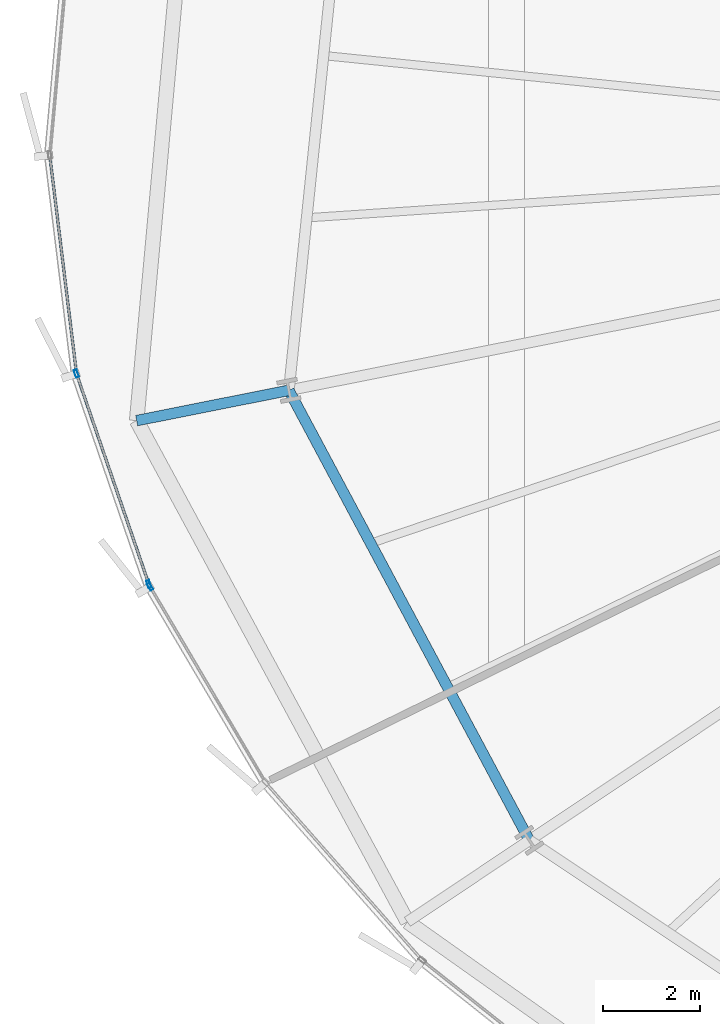
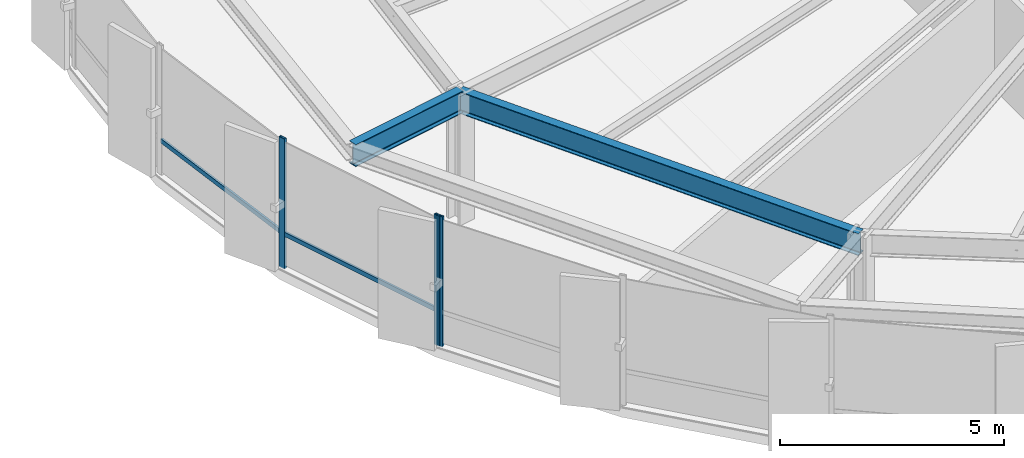
# One storey, part 6 of 39: 5 members, 2 beams, 2 elements without a shape of their own.
"""IFC4 building model written with IfcOpenShell, lengths in metres."""

from ifc_helpers import new_model, si_unit, direction, frame, origin, origin_2d, place, context, subcontext, project, spatial, hollow_rectangle, i_section, extrude, source, transform, mapped, material, layer, layer_set, material_profile, profile_set, type_object, element, aggregate, save


model = new_model("IFC4")

# Units and contexts
model_context = context("Model", 3, precision=1e-05, world=origin(), true_north=direction((0.0, 1.0)))
body_context = subcontext(model_context, "Body", "Model", "MODEL_VIEW")
ifc_project = project(units=[si_unit("LENGTHUNIT", "METRE"), si_unit("AREAUNIT", "SQUARE_METRE"), si_unit("VOLUMEUNIT", "CUBIC_METRE"), si_unit("PLANEANGLEUNIT", "RADIAN"), si_unit("MASSUNIT", "GRAM", prefix="KILO"), si_unit("THERMODYNAMICTEMPERATUREUNIT", "KELVIN")], contexts=[model_context])

# Site, building, storey
site_placement = place(None, origin())
site = spatial("IfcSite", under=ifc_project, at=site_placement, CompositionType="ELEMENT")
building_placement = place(site_placement, origin())
building = spatial("IfcBuilding", under=site, at=building_placement, Name="Kethvar Cultural Tower", CompositionType="ELEMENT")
storey_placement = place(building_placement, frame((0.0, 0.0, 33.39990234375)))
storey = spatial("IfcBuildingStorey", under=building, at=storey_placement, Name="L07", CompositionType="ELEMENT", Elevation=33.39990234375)

# Beams
ifc_material_1 = material(Name="Steel S355J2", Category="steel")
ifc_material_profile_1 = material_profile(ifc_material_1, i_section(OverallWidth=0.219970703125, OverallDepth=0.60009765625, WebThickness=0.011962890625, FlangeThickness=0.01904296875, FilletRadius=0.02392578125, at=origin_2d()), Name="Steel S355J2 — IPE600")
ifc_profile_set_1 = profile_set([ifc_material_profile_1], Name="Steel S355J2 — IPE600")
beam_type = type_object("IfcBeamType", Name="BM-IPE600", PredefinedType="BEAM", material=ifc_profile_set_1)
shared_shape_1 = source(origin(), body_context, "Body", "SweptSolid", [
    extrude(i_section(OverallWidth=0.219970703125, OverallDepth=0.60009765625, WebThickness=0.011962890625, FlangeThickness=0.01904296875, FilletRadius=0.02392578125, at=origin_2d()), origin(), (0.0, 0.0, 1.0), 3.199951171875),
])
beam_1_placement = place(storey_placement, frame((19.9658203125, 22.46240234375, 3.248046875), z_axis=(-0.980785550224, -0.195088965533, 0.0), x_axis=(0.195088965533, -0.980785550224, 0.0)))
element("IfcBeam", 1, at=beam_1_placement, inside=storey, type_object=beam_type, Name="L07 Perimeter Cantilever Beam RC-09", PredefinedType="BEAM", context=body_context, shape_type="MappedRepresentation", body=[
    mapped(shared_shape_1, transform((0.0, 0.0, 0.0), scale=1.0)),
])
shared_shape_2 = source(origin(), body_context, "Body", "SweptSolid", [
    extrude(i_section(OverallWidth=0.219970703125, OverallDepth=0.60009765625, WebThickness=0.011962890625, FlangeThickness=0.01904296875, FilletRadius=0.02392578125, at=origin_2d()), origin(), (0.0, 0.0, 1.0), 10.52099609375),
])
beam_2_placement = place(storey_placement, frame((19.9658203125, 22.46240234375, 3.248046875), z_axis=(0.471339616984, -0.881951793162, 0.0), x_axis=(0.881951793162, 0.471339616984, 0.0)))
element("IfcBeam", 2, at=beam_2_placement, inside=storey, type_object=beam_type, Name="L07 Column Ring Tie Beam CR-09", PredefinedType="BEAM", context=body_context, shape_type="MappedRepresentation", body=[
    mapped(shared_shape_2, transform((0.0, 0.0, 0.0), scale=1.0)),
])

# Curtain wall, members
ifc_material_2 = material(Name="Aluminium 6063-T6", Category="aluminium")
ifc_layer = layer(ifc_material_2, 0.179931640625, Name="Aluminium 6063-T6", Category="aluminium")
ifc_layer_set = layer_set([ifc_layer], Name="Aluminium 6063-T6 (180 mm)")
curtain_wall_type = type_object("IfcCurtainWallType", Name="CW-SYS-02-Z1", PredefinedType="NOTDEFINED", material=ifc_layer_set)
curtain_wall_1_placement = place(storey_placement, origin())
curtain_wall_1 = element("IfcCurtainWall", 3, at=curtain_wall_1_placement, inside=storey, type_object=curtain_wall_type, Name="L07 Curtain Wall Run 04", PredefinedType="NOTDEFINED")
ifc_material_profile_2 = material_profile(ifc_material_2, hollow_rectangle(XDim=0.06494140625, YDim=0.159912109375, WallThickness=0.0048828125, at=origin_2d()), Name="Aluminium 6063-T6 — RHS160x65x5")
ifc_profile_set_2 = profile_set([ifc_material_profile_2], Name="Aluminium 6063-T6 — RHS160x65x5")
member_type_1 = type_object("IfcMemberType", Name="CW-SYS-02-Z1-MUL", PredefinedType="MULLION", material=ifc_profile_set_2)
shared_shape_3 = source(origin(), body_context, "Body", "SweptSolid", [
    extrude(hollow_rectangle(XDim=0.06494140625, YDim=0.159912109375, WallThickness=0.0048828125, at=origin_2d()), origin(), (0.0, 0.0, 1.0), 3.550048828125),
])
member_1_placement = place(storey_placement, frame((15.584716796875, 22.806884765625, 0.0), z_axis=(0.0, 0.0, 1.0), x_axis=(0.945518575599, 0.325568154457, 0.0)))
member_1 = element("IfcMember", 4, at=member_1_placement, type_object=member_type_1, Name="CW-L07-R04 Mullion 6", PredefinedType="MULLION", context=body_context, shape_type="MappedRepresentation", body=[
    mapped(shared_shape_3, transform((0.0, 0.0, 0.0), scale=1.0)),
])
member_2_placement = place(storey_placement, frame((17.07861328125, 18.468505859375, 0.0), z_axis=(0.0, 0.0, 1.0), x_axis=(0.945518575599, 0.325568154457, 0.0)))
member_2 = element("IfcMember", 5, at=member_2_placement, type_object=member_type_1, Name="CW-L07-R04 Mullion 7", PredefinedType="MULLION", context=body_context, shape_type="MappedRepresentation", body=[
    mapped(shared_shape_3, transform((0.0, 0.0, 0.0), scale=1.0)),
])

# Curtain wall, member
curtain_wall_2_placement = place(storey_placement, origin())
curtain_wall_2 = element("IfcCurtainWall", 6, at=curtain_wall_2_placement, inside=storey, type_object=curtain_wall_type, Name="L07 Curtain Wall Run 05", PredefinedType="NOTDEFINED")
member_3_placement = place(storey_placement, frame((17.103759765625, 18.414306640625, 0.0), z_axis=(0.0, 0.0, 1.0), x_axis=(0.861345563177, 0.508019508283, 0.0)))
member_3 = element("IfcMember", 7, at=member_3_placement, type_object=member_type_1, Name="CW-L07-R05 Mullion 1", PredefinedType="MULLION", context=body_context, shape_type="MappedRepresentation", body=[
    mapped(shared_shape_3, transform((0.0, 0.0, 0.0), scale=1.0)),
])
aggregate(curtain_wall_2, [member_3])

# Member
ifc_material_profile_3 = material_profile(ifc_material_2, hollow_rectangle(XDim=0.054931640625, YDim=0.1201171875, WallThickness=0.00390625, at=origin_2d()), Name="Aluminium 6063-T6 — RHS120x55x4")
ifc_profile_set_3 = profile_set([ifc_material_profile_3], Name="Aluminium 6063-T6 — RHS120x55x4")
member_type_2 = type_object("IfcMemberType", Name="CW-SYS-02-Z1-TRN", PredefinedType="USERDEFINED", material=ifc_profile_set_3)
shared_shape_4 = source(origin(), body_context, "Body", "SweptSolid", [
    extrude(hollow_rectangle(XDim=0.054931640625, YDim=0.1201171875, WallThickness=0.00390625, at=origin_2d()), origin(), (0.0, 0.0, 1.0), 4.471435546875),
])
member_4_placement = place(storey_placement, frame((15.040283203125, 27.267333984375, 0.9501953125), z_axis=(0.121756358434, -0.992560017924, 0.0), x_axis=(0.992560017924, 0.121756358434, 0.0)))
member_4 = element("IfcMember", 8, at=member_4_placement, type_object=member_type_2, Name="CW-L07-R04 Transom 5", ObjectType="TRANSOM", PredefinedType="USERDEFINED", context=body_context, shape_type="MappedRepresentation", body=[
    mapped(shared_shape_4, transform((0.0, 0.0, 0.0), scale=1.0)),
])

shared_shape_5 = source(origin(), body_context, "Body", "SweptSolid", [
    extrude(hollow_rectangle(XDim=0.054931640625, YDim=0.1201171875, WallThickness=0.00390625, at=origin_2d()), origin(), (0.0, 0.0, 1.0), 4.536865234375),
])
member_5_placement = place(storey_placement, frame((15.60009765625, 22.7626953125, 0.9501953125), z_axis=(0.325559471325, -0.945521565397, 0.0), x_axis=(0.945521565397, 0.325559471325, 0.0)))
member_5 = element("IfcMember", 9, at=member_5_placement, type_object=member_type_2, Name="CW-L07-R04 Transom 6", ObjectType="TRANSOM", PredefinedType="USERDEFINED", context=body_context, shape_type="MappedRepresentation", body=[
    mapped(shared_shape_5, transform((0.0, 0.0, 0.0), scale=1.0)),
])

aggregate(curtain_wall_1, [member_1, member_2, member_4, member_5])

save(model, "model.ifc")
